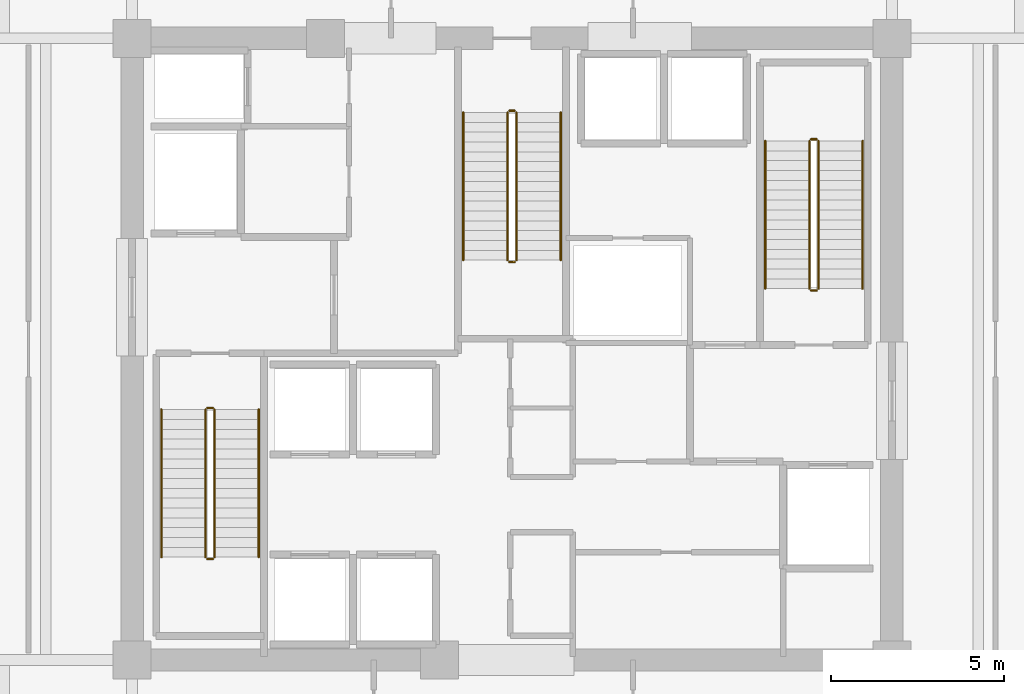
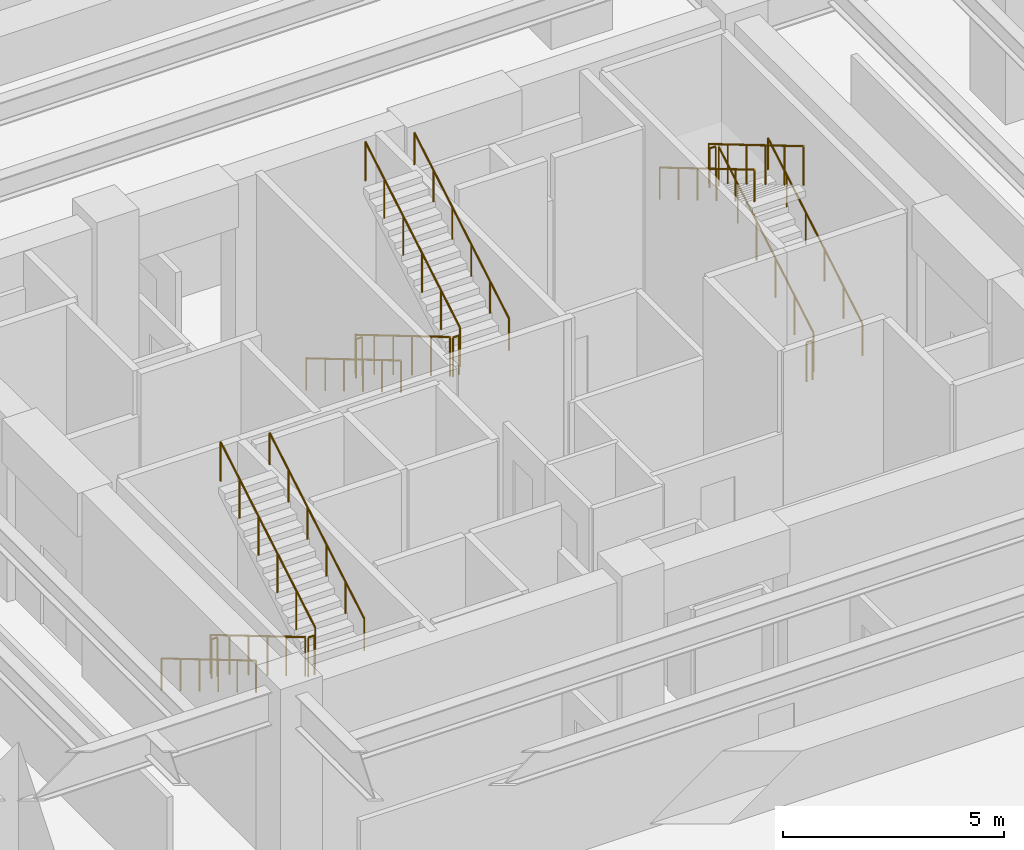
# One storey, part 23 of 23: 18 railings.
"""IFC4 building model written with IfcOpenShell, lengths in metres."""

from ifc_helpers import new_model, si_unit, direction, frame, origin, origin_2d, place, context, subcontext, project, spatial, circle, extrude, material, type_object, element, save


model = new_model("IFC4")

# Units and contexts
model_context = context("Model", 3, precision=1e-05, world=origin(), true_north=direction((0.0, 1.0)))
body_context = subcontext(model_context, "Body", "Model", "MODEL_VIEW")
ifc_project = project(units=[si_unit("LENGTHUNIT", "METRE"), si_unit("AREAUNIT", "SQUARE_METRE"), si_unit("VOLUMEUNIT", "CUBIC_METRE"), si_unit("PLANEANGLEUNIT", "RADIAN"), si_unit("MASSUNIT", "GRAM", prefix="KILO")], contexts=[model_context])

# Site, building, storey
site_placement = place(None, origin())
site = spatial("IfcSite", under=ifc_project, at=site_placement, CompositionType="ELEMENT")
building_placement = place(site_placement, origin())
building = spatial("IfcBuilding", under=site, at=building_placement, Name="Kovane Verandah Tower", CompositionType="ELEMENT")
storey_placement = place(building_placement, frame((0.0, 0.0, 107.60009765625)))
storey = spatial("IfcBuildingStorey", under=building, at=storey_placement, Name="L25", CompositionType="ELEMENT", Elevation=107.60009765625)

# Railings
ifc_material_1 = material(Name="Brushed Stainless Steel Handrail", Category="steel")
railing_type_1 = type_object("IfcRailingType", Name="RL-HAND-920", PredefinedType="HANDRAIL", material=ifc_material_1)
railing_1_placement = place(storey_placement, frame((29.85009765625, 25.75, 0.168701171875)))
element("IfcRailing", 1, at=railing_1_placement, inside=storey, type_object=railing_type_1, Name="L25 ST-01 stair handrail 1", PredefinedType="HANDRAIL", context=body_context, shape_type="SweptSolid", body=[
    extrude(circle(Radius=0.02392578125, at=origin_2d()), frame((0.0, 0.0, 0.8759765625), z_axis=(0.0, -0.860470286479, 0.509500624227), x_axis=(1.0, 0.0, 0.0)), (0.0, 0.0, 1.0), 4.968017578125),
    extrude(circle(Radius=0.02099609375, at=origin_2d()), origin(), (0.0, 0.0, 1.0), 0.851806640625),
    extrude(circle(Radius=0.02099609375, at=origin_2d()), frame((0.0, -0.85498046875, 0.50634765625)), (0.0, 0.0, 1.0), 0.851806640625),
    extrude(circle(Radius=0.02099609375, at=origin_2d()), frame((0.0, -1.7099609375, 1.012451171875)), (0.0, 0.0, 1.0), 0.851806640625),
    extrude(circle(Radius=0.02099609375, at=origin_2d()), frame((0.0, -2.56494140625, 1.518798828125)), (0.0, 0.0, 1.0), 0.851806640625),
    extrude(circle(Radius=0.02099609375, at=origin_2d()), frame((0.0, -3.419921875, 2.02490234375)), (0.0, 0.0, 1.0), 0.851806640625),
    extrude(circle(Radius=0.02099609375, at=origin_2d()), frame((0.0, -4.27490234375, 2.53125)), (0.0, 0.0, 1.0), 0.851806640625),
])
for number, where, name in (
    (2, (32.669921875, 21.47509765625, 2.86865234375), "L25 ST-01 stair handrail 2"),
    (3, (50.14990234375, 29.25, 0.168701171875), "L25 ST-02 stair handrail 1"),
):
    element("IfcRailing", number, at=place(storey_placement, frame(where)), inside=storey, type_object=railing_type_1, Name=name, PredefinedType="HANDRAIL", context=body_context, shape_type="SweptSolid", body=[
        extrude(circle(Radius=0.02392578125, at=origin_2d()), frame((0.0, 0.0, 0.8759765625), z_axis=(0.0, 0.860470286479, 0.509500624227), x_axis=(-1.0, 0.0, 0.0)), (0.0, 0.0, 1.0), 4.968017578125),
        extrude(circle(Radius=0.02099609375, at=origin_2d()), origin(), (0.0, 0.0, 1.0), 0.851806640625),
        extrude(circle(Radius=0.02099609375, at=origin_2d()), frame((0.0, 0.85498046875, 0.50634765625)), (0.0, 0.0, 1.0), 0.851806640625),
        extrude(circle(Radius=0.02099609375, at=origin_2d()), frame((0.0, 1.7099609375, 1.012451171875)), (0.0, 0.0, 1.0), 0.851806640625),
        extrude(circle(Radius=0.02099609375, at=origin_2d()), frame((0.0, 2.56494140625, 1.518798828125)), (0.0, 0.0, 1.0), 0.851806640625),
        extrude(circle(Radius=0.02099609375, at=origin_2d()), frame((0.0, 3.419921875, 2.02490234375)), (0.0, 0.0, 1.0), 0.851806640625),
        extrude(circle(Radius=0.02099609375, at=origin_2d()), frame((0.0, 4.27490234375, 2.53125)), (0.0, 0.0, 1.0), 0.851806640625),
    ])
railing_2_placement = place(storey_placement, frame((47.330078125, 33.52490234375, 2.86865234375)))
element("IfcRailing", 4, at=railing_2_placement, inside=storey, type_object=railing_type_1, Name="L25 ST-02 stair handrail 2", PredefinedType="HANDRAIL", context=body_context, shape_type="SweptSolid", body=[
    extrude(circle(Radius=0.02392578125, at=origin_2d()), frame((0.0, 0.0, 0.8759765625), z_axis=(0.0, -0.860470286479, 0.509500624227), x_axis=(1.0, 0.0, 0.0)), (0.0, 0.0, 1.0), 4.968017578125),
    extrude(circle(Radius=0.02099609375, at=origin_2d()), origin(), (0.0, 0.0, 1.0), 0.851806640625),
    extrude(circle(Radius=0.02099609375, at=origin_2d()), frame((0.0, -0.85498046875, 0.50634765625)), (0.0, 0.0, 1.0), 0.851806640625),
    extrude(circle(Radius=0.02099609375, at=origin_2d()), frame((0.0, -1.7099609375, 1.012451171875)), (0.0, 0.0, 1.0), 0.851806640625),
    extrude(circle(Radius=0.02099609375, at=origin_2d()), frame((0.0, -2.56494140625, 1.518798828125)), (0.0, 0.0, 1.0), 0.851806640625),
    extrude(circle(Radius=0.02099609375, at=origin_2d()), frame((0.0, -3.419921875, 2.02490234375)), (0.0, 0.0, 1.0), 0.851806640625),
    extrude(circle(Radius=0.02099609375, at=origin_2d()), frame((0.0, -4.27490234375, 2.53125)), (0.0, 0.0, 1.0), 0.851806640625),
])
railing_3_placement = place(storey_placement, frame((38.590087890625, 34.35009765625, 0.168701171875)))
element("IfcRailing", 5, at=railing_3_placement, inside=storey, type_object=railing_type_1, Name="L25 ST-03 stair handrail 1", PredefinedType="HANDRAIL", context=body_context, shape_type="SweptSolid", body=[
    extrude(circle(Radius=0.02392578125, at=origin_2d()), frame((0.0, 0.0, 0.8759765625), z_axis=(0.0, -0.860483042394, 0.50947908078), x_axis=(1.0, 0.0, 0.0)), (0.0, 0.0, 1.0), 4.96826171875),
    extrude(circle(Radius=0.02099609375, at=origin_2d()), origin(), (0.0, 0.0, 1.0), 0.851806640625),
    extrude(circle(Radius=0.02099609375, at=origin_2d()), frame((0.0, -0.85498046875, 0.50634765625)), (0.0, 0.0, 1.0), 0.851806640625),
    extrude(circle(Radius=0.02099609375, at=origin_2d()), frame((0.0, -1.7099609375, 1.012451171875)), (0.0, 0.0, 1.0), 0.851806640625),
    extrude(circle(Radius=0.02099609375, at=origin_2d()), frame((0.0, -2.565185546875, 1.518798828125)), (0.0, 0.0, 1.0), 0.851806640625),
    extrude(circle(Radius=0.02099609375, at=origin_2d()), frame((0.0, -3.420166015625, 2.02490234375)), (0.0, 0.0, 1.0), 0.851806640625),
    extrude(circle(Radius=0.02099609375, at=origin_2d()), frame((0.0, -4.275146484375, 2.53125)), (0.0, 0.0, 1.0), 0.851806640625),
])
railing_4_placement = place(storey_placement, frame((41.409912109375, 30.074951171875, 2.86865234375)))
element("IfcRailing", 6, at=railing_4_placement, inside=storey, type_object=railing_type_1, Name="L25 ST-03 stair handrail 2", PredefinedType="HANDRAIL", context=body_context, shape_type="SweptSolid", body=[
    extrude(circle(Radius=0.02392578125, at=origin_2d()), frame((0.0, 0.0, 0.8759765625), z_axis=(0.0, 0.860483042394, 0.50947908078), x_axis=(-1.0, 0.0, 0.0)), (0.0, 0.0, 1.0), 4.96826171875),
    extrude(circle(Radius=0.02099609375, at=origin_2d()), origin(), (0.0, 0.0, 1.0), 0.851806640625),
    extrude(circle(Radius=0.02099609375, at=origin_2d()), frame((0.0, 0.85498046875, 0.50634765625)), (0.0, 0.0, 1.0), 0.851806640625),
    extrude(circle(Radius=0.02099609375, at=origin_2d()), frame((0.0, 1.7099609375, 1.012451171875)), (0.0, 0.0, 1.0), 0.851806640625),
    extrude(circle(Radius=0.02099609375, at=origin_2d()), frame((0.0, 2.565185546875, 1.518798828125)), (0.0, 0.0, 1.0), 0.851806640625),
    extrude(circle(Radius=0.02099609375, at=origin_2d()), frame((0.0, 3.420166015625, 2.02490234375)), (0.0, 0.0, 1.0), 0.851806640625),
    extrude(circle(Radius=0.02099609375, at=origin_2d()), frame((0.0, 4.275146484375, 2.53125)), (0.0, 0.0, 1.0), 0.851806640625),
])
ifc_material_2 = material(Name="Painted Steel Stairwell Guardrail", Category="steel")
railing_type_2 = type_object("IfcRailingType", Name="RL-STGUARD-1120", PredefinedType="GUARDRAIL", material=ifc_material_2)
railing_5_placement = place(storey_placement, frame((31.1298828125, 25.75, 0.168701171875)))
element("IfcRailing", 7, at=railing_5_placement, inside=storey, type_object=railing_type_2, Name="L25 ST-01 stair guard 1", PredefinedType="GUARDRAIL", context=body_context, shape_type="SweptSolid", body=[
    extrude(circle(Radius=0.02392578125, at=origin_2d()), frame((0.0, 0.0, 1.076171875), z_axis=(0.0, -0.860470286479, 0.509500624227), x_axis=(1.0, 0.0, 0.0)), (0.0, 0.0, 1.0), 4.968017578125),
    extrude(circle(Radius=0.02099609375, at=origin_2d()), origin(), (0.0, 0.0, 1.0), 1.052001953125),
    extrude(circle(Radius=0.02099609375, at=origin_2d()), frame((0.0, -0.85498046875, 0.50634765625)), (0.0, 0.0, 1.0), 1.052001953125),
    extrude(circle(Radius=0.02099609375, at=origin_2d()), frame((0.0, -1.7099609375, 1.012451171875)), (0.0, 0.0, 1.0), 1.052001953125),
    extrude(circle(Radius=0.02099609375, at=origin_2d()), frame((0.0, -2.56494140625, 1.518798828125)), (0.0, 0.0, 1.0), 1.052001953125),
    extrude(circle(Radius=0.02099609375, at=origin_2d()), frame((0.0, -3.419921875, 2.02490234375)), (0.0, 0.0, 1.0), 1.052001953125),
    extrude(circle(Radius=0.02099609375, at=origin_2d()), frame((0.0, -4.27490234375, 2.53125)), (0.0, 0.0, 1.0), 1.052001953125),
])
railing_6_placement = place(storey_placement, frame((31.179931640625, 21.425048828125, 2.699951171875)))
element("IfcRailing", 8, at=railing_6_placement, inside=storey, type_object=railing_type_2, Name="L25 ST-01 stair guard 2", PredefinedType="GUARDRAIL", context=body_context, shape_type="SweptSolid", body=[
    extrude(circle(Radius=0.02392578125, at=origin_2d()), frame((0.0, 0.0, 1.076171875), z_axis=(1.0, 0.0, 0.0), x_axis=(0.0, 1.0, 0.0)), (0.0, 0.0, 1.0), 0.16015625),
    extrude(circle(Radius=0.02099609375, at=origin_2d()), origin(), (0.0, 0.0, 1.0), 1.052001953125),
    extrude(circle(Radius=0.02099609375, at=origin_2d()), frame((0.16015625, 0.0, 0.0)), (0.0, 0.0, 1.0), 1.052001953125),
])
railing_7_placement = place(storey_placement, frame((31.389892578125, 21.47509765625, 2.86865234375)))
element("IfcRailing", 9, at=railing_7_placement, inside=storey, type_object=railing_type_2, Name="L25 ST-01 stair guard 3", PredefinedType="GUARDRAIL", context=body_context, shape_type="SweptSolid", body=[
    extrude(circle(Radius=0.02392578125, at=origin_2d()), frame((0.0, 0.0, 1.076171875), z_axis=(0.0, 0.860470286479, 0.509500624227), x_axis=(-1.0, 0.0, 0.0)), (0.0, 0.0, 1.0), 4.968017578125),
    extrude(circle(Radius=0.02099609375, at=origin_2d()), origin(), (0.0, 0.0, 1.0), 1.052001953125),
    extrude(circle(Radius=0.02099609375, at=origin_2d()), frame((0.0, 0.85498046875, 0.50634765625)), (0.0, 0.0, 1.0), 1.052001953125),
    extrude(circle(Radius=0.02099609375, at=origin_2d()), frame((0.0, 1.7099609375, 1.012451171875)), (0.0, 0.0, 1.0), 1.052001953125),
    extrude(circle(Radius=0.02099609375, at=origin_2d()), frame((0.0, 2.56494140625, 1.518798828125)), (0.0, 0.0, 1.0), 1.052001953125),
    extrude(circle(Radius=0.02099609375, at=origin_2d()), frame((0.0, 3.419921875, 2.02490234375)), (0.0, 0.0, 1.0), 1.052001953125),
    extrude(circle(Radius=0.02099609375, at=origin_2d()), frame((0.0, 4.27490234375, 2.53125)), (0.0, 0.0, 1.0), 1.052001953125),
])
railing_8_placement = place(storey_placement, frame((31.179931640625, 25.800048828125, 0.0)))
element("IfcRailing", 10, at=railing_8_placement, inside=storey, type_object=railing_type_2, Name="L25 ST-01 stair guard 4", PredefinedType="GUARDRAIL", context=body_context, shape_type="SweptSolid", body=[
    extrude(circle(Radius=0.02392578125, at=origin_2d()), frame((0.0, 0.0, 1.076171875), z_axis=(1.0, 0.0, 0.0), x_axis=(0.0, 1.0, 0.0)), (0.0, 0.0, 1.0), 0.16015625),
    extrude(circle(Radius=0.02099609375, at=origin_2d()), origin(), (0.0, 0.0, 1.0), 1.052001953125),
    extrude(circle(Radius=0.02099609375, at=origin_2d()), frame((0.16015625, 0.0, 0.0)), (0.0, 0.0, 1.0), 1.052001953125),
])
railing_9_placement = place(storey_placement, frame((48.8701171875, 29.25, 0.168701171875)))
element("IfcRailing", 11, at=railing_9_placement, inside=storey, type_object=railing_type_2, Name="L25 ST-02 stair guard 1", PredefinedType="GUARDRAIL", context=body_context, shape_type="SweptSolid", body=[
    extrude(circle(Radius=0.02392578125, at=origin_2d()), frame((0.0, 0.0, 1.076171875), z_axis=(0.0, 0.860470286479, 0.509500624227), x_axis=(-1.0, 0.0, 0.0)), (0.0, 0.0, 1.0), 4.968017578125),
    extrude(circle(Radius=0.02099609375, at=origin_2d()), origin(), (0.0, 0.0, 1.0), 1.052001953125),
    extrude(circle(Radius=0.02099609375, at=origin_2d()), frame((0.0, 0.85498046875, 0.50634765625)), (0.0, 0.0, 1.0), 1.052001953125),
    extrude(circle(Radius=0.02099609375, at=origin_2d()), frame((0.0, 1.7099609375, 1.012451171875)), (0.0, 0.0, 1.0), 1.052001953125),
    extrude(circle(Radius=0.02099609375, at=origin_2d()), frame((0.0, 2.56494140625, 1.518798828125)), (0.0, 0.0, 1.0), 1.052001953125),
    extrude(circle(Radius=0.02099609375, at=origin_2d()), frame((0.0, 3.419921875, 2.02490234375)), (0.0, 0.0, 1.0), 1.052001953125),
    extrude(circle(Radius=0.02099609375, at=origin_2d()), frame((0.0, 4.27490234375, 2.53125)), (0.0, 0.0, 1.0), 1.052001953125),
])
railing_10_placement = place(storey_placement, frame((48.820068359375, 33.574951171875, 2.699951171875)))
element("IfcRailing", 12, at=railing_10_placement, inside=storey, type_object=railing_type_2, Name="L25 ST-02 stair guard 2", PredefinedType="GUARDRAIL", context=body_context, shape_type="SweptSolid", body=[
    extrude(circle(Radius=0.02392578125, at=origin_2d()), frame((0.0, 0.0, 1.076171875), z_axis=(-1.0, 0.0, 0.0), x_axis=(0.0, -1.0, 0.0)), (0.0, 0.0, 1.0), 0.16015625),
    extrude(circle(Radius=0.02099609375, at=origin_2d()), origin(), (0.0, 0.0, 1.0), 1.052001953125),
    extrude(circle(Radius=0.02099609375, at=origin_2d()), frame((-0.16015625, 0.0, 0.0)), (0.0, 0.0, 1.0), 1.052001953125),
])
railing_11_placement = place(storey_placement, frame((48.610107421875, 33.52490234375, 2.86865234375)))
element("IfcRailing", 13, at=railing_11_placement, inside=storey, type_object=railing_type_2, Name="L25 ST-02 stair guard 3", PredefinedType="GUARDRAIL", context=body_context, shape_type="SweptSolid", body=[
    extrude(circle(Radius=0.02392578125, at=origin_2d()), frame((0.0, 0.0, 1.076171875), z_axis=(0.0, -0.860470286479, 0.509500624227), x_axis=(1.0, 0.0, 0.0)), (0.0, 0.0, 1.0), 4.968017578125),
    extrude(circle(Radius=0.02099609375, at=origin_2d()), origin(), (0.0, 0.0, 1.0), 1.052001953125),
    extrude(circle(Radius=0.02099609375, at=origin_2d()), frame((0.0, -0.85498046875, 0.50634765625)), (0.0, 0.0, 1.0), 1.052001953125),
    extrude(circle(Radius=0.02099609375, at=origin_2d()), frame((0.0, -1.7099609375, 1.012451171875)), (0.0, 0.0, 1.0), 1.052001953125),
    extrude(circle(Radius=0.02099609375, at=origin_2d()), frame((0.0, -2.56494140625, 1.518798828125)), (0.0, 0.0, 1.0), 1.052001953125),
    extrude(circle(Radius=0.02099609375, at=origin_2d()), frame((0.0, -3.419921875, 2.02490234375)), (0.0, 0.0, 1.0), 1.052001953125),
    extrude(circle(Radius=0.02099609375, at=origin_2d()), frame((0.0, -4.27490234375, 2.53125)), (0.0, 0.0, 1.0), 1.052001953125),
])
railing_12_placement = place(storey_placement, frame((48.820068359375, 29.199951171875, 0.0)))
element("IfcRailing", 14, at=railing_12_placement, inside=storey, type_object=railing_type_2, Name="L25 ST-02 stair guard 4", PredefinedType="GUARDRAIL", context=body_context, shape_type="SweptSolid", body=[
    extrude(circle(Radius=0.02392578125, at=origin_2d()), frame((0.0, 0.0, 1.076171875), z_axis=(-1.0, 0.0, 0.0), x_axis=(0.0, -1.0, 0.0)), (0.0, 0.0, 1.0), 0.16015625),
    extrude(circle(Radius=0.02099609375, at=origin_2d()), origin(), (0.0, 0.0, 1.0), 1.052001953125),
    extrude(circle(Radius=0.02099609375, at=origin_2d()), frame((-0.16015625, 0.0, 0.0)), (0.0, 0.0, 1.0), 1.052001953125),
])
railing_13_placement = place(storey_placement, frame((39.8701171875, 34.35009765625, 0.168701171875)))
element("IfcRailing", 15, at=railing_13_placement, inside=storey, type_object=railing_type_2, Name="L25 ST-03 stair guard 1", PredefinedType="GUARDRAIL", context=body_context, shape_type="SweptSolid", body=[
    extrude(circle(Radius=0.02392578125, at=origin_2d()), frame((0.0, 0.0, 1.076171875), z_axis=(0.0, -0.860483042394, 0.50947908078), x_axis=(1.0, 0.0, 0.0)), (0.0, 0.0, 1.0), 4.96826171875),
    extrude(circle(Radius=0.02099609375, at=origin_2d()), origin(), (0.0, 0.0, 1.0), 1.052001953125),
    extrude(circle(Radius=0.02099609375, at=origin_2d()), frame((0.0, -0.85498046875, 0.50634765625)), (0.0, 0.0, 1.0), 1.052001953125),
    extrude(circle(Radius=0.02099609375, at=origin_2d()), frame((0.0, -1.7099609375, 1.012451171875)), (0.0, 0.0, 1.0), 1.052001953125),
    extrude(circle(Radius=0.02099609375, at=origin_2d()), frame((0.0, -2.565185546875, 1.518798828125)), (0.0, 0.0, 1.0), 1.052001953125),
    extrude(circle(Radius=0.02099609375, at=origin_2d()), frame((0.0, -3.420166015625, 2.02490234375)), (0.0, 0.0, 1.0), 1.052001953125),
    extrude(circle(Radius=0.02099609375, at=origin_2d()), frame((0.0, -4.275146484375, 2.53125)), (0.0, 0.0, 1.0), 1.052001953125),
])
railing_14_placement = place(storey_placement, frame((39.919921875, 30.02490234375, 2.699951171875)))
element("IfcRailing", 16, at=railing_14_placement, inside=storey, type_object=railing_type_2, Name="L25 ST-03 stair guard 2", PredefinedType="GUARDRAIL", context=body_context, shape_type="SweptSolid", body=[
    extrude(circle(Radius=0.02392578125, at=origin_2d()), frame((0.0, 0.0, 1.076171875), z_axis=(1.0, 0.0, 0.0), x_axis=(0.0, 1.0, 0.0)), (0.0, 0.0, 1.0), 0.16015625),
    extrude(circle(Radius=0.02099609375, at=origin_2d()), origin(), (0.0, 0.0, 1.0), 1.052001953125),
    extrude(circle(Radius=0.02099609375, at=origin_2d()), frame((0.16015625, 0.0, 0.0)), (0.0, 0.0, 1.0), 1.052001953125),
])
railing_15_placement = place(storey_placement, frame((40.1298828125, 30.074951171875, 2.86865234375)))
element("IfcRailing", 17, at=railing_15_placement, inside=storey, type_object=railing_type_2, Name="L25 ST-03 stair guard 3", PredefinedType="GUARDRAIL", context=body_context, shape_type="SweptSolid", body=[
    extrude(circle(Radius=0.02392578125, at=origin_2d()), frame((0.0, 0.0, 1.076171875), z_axis=(0.0, 0.860483042394, 0.50947908078), x_axis=(-1.0, 0.0, 0.0)), (0.0, 0.0, 1.0), 4.96826171875),
    extrude(circle(Radius=0.02099609375, at=origin_2d()), origin(), (0.0, 0.0, 1.0), 1.052001953125),
    extrude(circle(Radius=0.02099609375, at=origin_2d()), frame((0.0, 0.85498046875, 0.50634765625)), (0.0, 0.0, 1.0), 1.052001953125),
    extrude(circle(Radius=0.02099609375, at=origin_2d()), frame((0.0, 1.7099609375, 1.012451171875)), (0.0, 0.0, 1.0), 1.052001953125),
    extrude(circle(Radius=0.02099609375, at=origin_2d()), frame((0.0, 2.565185546875, 1.518798828125)), (0.0, 0.0, 1.0), 1.052001953125),
    extrude(circle(Radius=0.02099609375, at=origin_2d()), frame((0.0, 3.420166015625, 2.02490234375)), (0.0, 0.0, 1.0), 1.052001953125),
    extrude(circle(Radius=0.02099609375, at=origin_2d()), frame((0.0, 4.275146484375, 2.53125)), (0.0, 0.0, 1.0), 1.052001953125),
])
railing_16_placement = place(storey_placement, frame((39.919921875, 34.39990234375, 0.0)))
element("IfcRailing", 18, at=railing_16_placement, inside=storey, type_object=railing_type_2, Name="L25 ST-03 stair guard 4", PredefinedType="GUARDRAIL", context=body_context, shape_type="SweptSolid", body=[
    extrude(circle(Radius=0.02392578125, at=origin_2d()), frame((0.0, 0.0, 1.076171875), z_axis=(1.0, 0.0, 0.0), x_axis=(0.0, 1.0, 0.0)), (0.0, 0.0, 1.0), 0.16015625),
    extrude(circle(Radius=0.02099609375, at=origin_2d()), origin(), (0.0, 0.0, 1.0), 1.052001953125),
    extrude(circle(Radius=0.02099609375, at=origin_2d()), frame((0.16015625, 0.0, 0.0)), (0.0, 0.0, 1.0), 1.052001953125),
])

save(model, "model.ifc")
